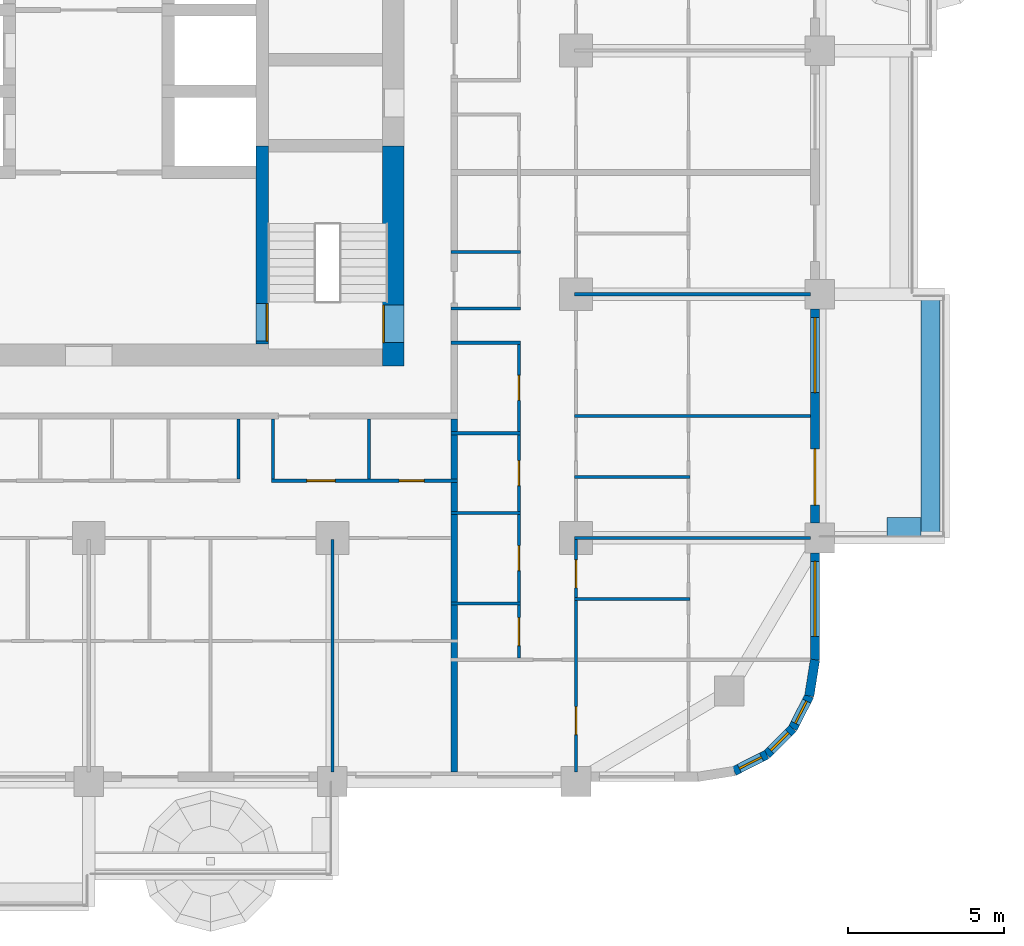
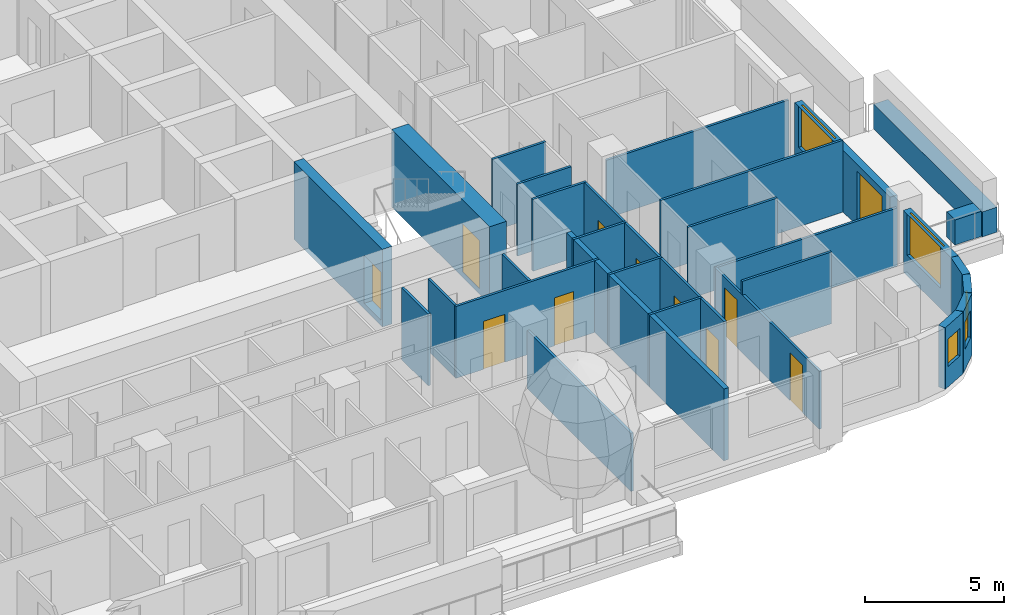
# One storey, part 7 of 18: 29 walls, 11 doors, 5 windows, 16 openings.
"""IFC4 building model written with IfcOpenShell, lengths in metres."""

from ifc_helpers import new_model, si_unit, direction, frame, frame_2d, origin, place, context, subcontext, project, spatial, rectangle, extrude, material, layer, layer_set, type_object, element, fill, save


model = new_model("IFC4")

# Units and contexts
model_context = context("Model", 3, precision=1e-05, world=origin(), true_north=direction((0.0, 1.0)))
body_context = subcontext(model_context, "Body", "Model", "MODEL_VIEW")
ifc_project = project(units=[si_unit("LENGTHUNIT", "METRE"), si_unit("AREAUNIT", "SQUARE_METRE"), si_unit("VOLUMEUNIT", "CUBIC_METRE"), si_unit("PLANEANGLEUNIT", "RADIAN"), si_unit("MASSUNIT", "GRAM", prefix="KILO")], contexts=[model_context])

# Site, building, storey
site_placement = place(None, origin())
site = spatial("IfcSite", under=ifc_project, at=site_placement, CompositionType="ELEMENT")
building_placement = place(site_placement, origin())
building = spatial("IfcBuilding", under=site, at=building_placement, Name="Ludao Terraces", CompositionType="ELEMENT")
storey_placement = place(building_placement, frame((0.0, 0.0, 58.0)))
storey = spatial("IfcBuildingStorey", under=building, at=storey_placement, Name="L15", CompositionType="ELEMENT", Elevation=58.0)

# Wall, opening, door
ifc_material_1 = material(Name="Concrete C70", Category="concrete")
ifc_layer_1 = layer(ifc_material_1, 0.699951171875)
ifc_layer_set_1 = layer_set([ifc_layer_1], Name="Core wall 700 C70")
wall_type_1 = type_object("IfcWallType", Name="Core wall 700 C70", PredefinedType="SOLIDWALL", material=ifc_layer_set_1)
wall_1_placement = place(storey_placement, frame((94.75, 54.89990234375, -0.25), z_axis=(0.0, 0.0, 1.0), x_axis=(0.0, 1.0, 0.0)))
wall_1 = element("IfcWall", 1, at=wall_1_placement, inside=storey, type_object=wall_type_1, Name="Core wall L15 outer-E-S3", PredefinedType="SOLIDWALL", context=body_context, shape_type="SweptSolid", body=[
    extrude(rectangle(XDim=7.050048828125, YDim=0.699951171875, at=frame_2d((3.52490234375, 0.0))), origin(), (0.0, 0.0, 1.0), 3.39990234375),
])
opening_1_placement = place(wall_1_placement, frame((0.75, 0.0, 0.25)))
opening_1 = element("IfcOpeningElement", 2, at=opening_1_placement, cuts=wall_1, Name="Opening R04-059", PredefinedType="OPENING", context=body_context, shape_type="SweptSolid", body=[
    extrude(rectangle(XDim=1.199951171875, YDim=2.10009765625, at=frame_2d((0.60009765625, 1.050048828125))), frame((0.0, 0.35986328125, 0.0), z_axis=(0.0, -1.0, 0.0), x_axis=(1.0, 0.0, 0.0)), (0.0, 0.0, 1.0), 0.719970703125),
])
ifc_material_2 = material(Name="Steel Q235", Category="steel")
door_type_1 = type_object("IfcDoorType", Name="INT Stair door 1200", OperationType="DOUBLE_DOOR_SINGLE_SWING", PredefinedType="DOOR", material=ifc_material_2)
door_1_placement = place(opening_1_placement, origin())
door_1 = element("IfcDoor", 3, at=door_1_placement, inside=storey, type_object=door_type_1, Name="DOOR 059", OperationType="DOUBLE_DOOR_SINGLE_SWING", OverallHeight=2.10009765625, OverallWidth=1.199951171875, PredefinedType="DOOR", context=body_context, shape_type="SweptSolid", body=[
    extrude(rectangle(XDim=1.199951171875, YDim=2.10009765625, at=frame_2d((0.60009765625, 1.050048828125))), frame((0.0, 0.3349609375, 0.0), z_axis=(0.0, -1.0, 0.0), x_axis=(1.0, 0.0, 0.0)), (0.0, 0.0, 1.0), 0.050048828125),
])
fill(opening_1, door_1)

# Walls
ifc_material_3 = material(Name="Concrete C40", Category="concrete")
ifc_layer_2 = layer(ifc_material_3, 0.60009765625)
ifc_layer_set_2 = layer_set([ifc_layer_2], Name="ENV Planter trough 600")
wall_type_2 = type_object("IfcWallType", Name="ENV Planter trough 600", PredefinedType="USERDEFINED", material=ifc_layer_set_2)
wall_2_placement = place(storey_placement, frame((111.949951171875, 49.39990234375, 0.0), z_axis=(0.0, 0.0, 1.0), x_axis=(0.0, 1.0, 0.0)))
element("IfcWall", 4, at=wall_2_placement, inside=storey, type_object=wall_type_2, Name="PL-L15-E1", ObjectType="PLANTER", PredefinedType="USERDEFINED", context=body_context, shape_type="SweptSolid", body=[
    extrude(rectangle(XDim=7.800048828125, YDim=0.60009765625, at=frame_2d((3.89990234375, 0.0))), origin(), (0.0, 0.0, 1.0), 1.10009765625),
])
wall_3_placement = place(storey_placement, frame((111.64990234375, 49.75, 0.0), z_axis=(0.0, 0.0, 1.0), x_axis=(-1.0, 0.0, 0.0)))
element("IfcWall", 5, at=wall_3_placement, inside=storey, type_object=wall_type_2, Name="PL-L15-E1-SA", ObjectType="PLANTER", PredefinedType="USERDEFINED", context=body_context, shape_type="SweptSolid", body=[
    extrude(rectangle(XDim=1.099853515625, YDim=0.60009765625, at=frame_2d((0.5498046875, 0.0))), origin(), (0.0, 0.0, 1.0), 1.10009765625),
])

# Wall, opening, window
ifc_material_4 = material(Name="Granite cladding", Category="masonry")
ifc_layer_3 = layer(ifc_material_4, 0.0400390625, Category="stone")
ifc_material_5 = material(Name="Mineral wool")
ifc_layer_4 = layer(ifc_material_5, 0.06005859375)
ifc_layer_5 = layer(ifc_material_3, 0.199951171875, Category="concrete")
ifc_layer_set_3 = layer_set([ifc_layer_3, ifc_layer_4, ifc_layer_5], Name="ENV Stone-clad wall 300")
wall_type_3 = type_object("IfcWallType", Name="ENV Stone-clad wall 300", PredefinedType="SOLIDWALL", material=ifc_layer_set_3)
wall_4_placement = place(storey_placement, frame((108.25, 45.5, 0.0), z_axis=(0.0, 0.0, 1.0), x_axis=(0.0, 1.0, 0.0)))
wall_4 = element("IfcWall", 6, at=wall_4_placement, inside=storey, type_object=wall_type_3, Name="EW-L15-E1", PredefinedType="SOLIDWALL", context=body_context, shape_type="SweptSolid", body=[
    extrude(rectangle(XDim=3.425048828125, YDim=0.300048828125, at=frame_2d((1.71240234375, 0.0))), origin(), (0.0, 0.0, 1.0), 2.699951171875),
])
opening_2_placement = place(wall_4_placement, frame((0.75, 0.0, 0.89990234375)))
opening_2 = element("IfcOpeningElement", 7, at=opening_2_placement, cuts=wall_4, Name="Opening W1", PredefinedType="OPENING", context=body_context, shape_type="SweptSolid", body=[
    extrude(rectangle(XDim=2.39990234375, YDim=1.800048828125, at=frame_2d((1.199951171875, 0.89990234375))), frame((0.0, 0.16015625, 0.0), z_axis=(0.0, -1.0, 0.0), x_axis=(1.0, 0.0, 0.0)), (0.0, 0.0, 1.0), 0.320068359375),
])
ifc_material_6 = material(Name="Clear glass in aluminium frame", Category="aluminium")
ifc_layer_6 = layer(ifc_material_6, 0.06005859375)
ifc_layer_set_4 = layer_set([ifc_layer_6], Name="ENV Window W1 2400x1800")
window_type_1 = type_object("IfcWindowType", Name="ENV Window W1 2400x1800", PartitioningType="DOUBLE_PANEL_VERTICAL", PredefinedType="WINDOW", material=ifc_layer_set_4)
window_1_placement = place(opening_2_placement, origin())
window_1 = element("IfcWindow", 8, at=window_1_placement, inside=storey, type_object=window_type_1, Name="W-L15-E1-1", OverallHeight=1.800048828125, OverallWidth=2.39990234375, PartitioningType="DOUBLE_PANEL_VERTICAL", PredefinedType="WINDOW", context=body_context, shape_type="SweptSolid", body=[
    extrude(rectangle(XDim=2.39990234375, YDim=1.800048828125, at=frame_2d((1.199951171875, 0.89990234375))), frame((0.0, 0.030029296875, 0.0), z_axis=(0.0, -1.0, 0.0), x_axis=(1.0, 0.0, 0.0)), (0.0, 0.0, 1.0), 0.06005859375),
])
fill(opening_2, window_1)

# Wall, openings, door, window
wall_5_placement = place(storey_placement, frame((108.25, 49.875, 0.0), z_axis=(0.0, 0.0, 1.0), x_axis=(0.0, 1.0, 0.0)))
wall_5 = element("IfcWall", 9, at=wall_5_placement, inside=storey, type_object=wall_type_3, Name="EW-L15-E2", PredefinedType="SOLIDWALL", context=body_context, shape_type="SweptSolid", body=[
    extrude(rectangle(XDim=6.85009765625, YDim=0.300048828125, at=frame_2d((3.425048828125, 0.0))), origin(), (0.0, 0.0, 1.0), 2.699951171875),
])
opening_3_placement = place(wall_5_placement, frame((0.574951171875, 0.0, 0.0)))
opening_3 = element("IfcOpeningElement", 10, at=opening_3_placement, cuts=wall_5, Name="Opening BD", PredefinedType="OPENING", context=body_context, shape_type="SweptSolid", body=[
    extrude(rectangle(XDim=1.800048828125, YDim=2.39990234375, at=frame_2d((0.89990234375, 1.199951171875))), frame((0.0, 0.16015625, 0.0), z_axis=(0.0, -1.0, 0.0), x_axis=(1.0, 0.0, 0.0)), (0.0, 0.0, 1.0), 0.320068359375),
])
opening_4_placement = place(wall_5_placement, frame((4.175048828125, 0.0, 0.89990234375)))
opening_4 = element("IfcOpeningElement", 11, at=opening_4_placement, cuts=wall_5, Name="Opening W1", PredefinedType="OPENING", context=body_context, shape_type="SweptSolid", body=[
    extrude(rectangle(XDim=2.39990234375, YDim=1.800048828125, at=frame_2d((1.199951171875, 0.89990234375))), frame((0.0, 0.16015625, 0.0), z_axis=(0.0, -1.0, 0.0), x_axis=(1.0, 0.0, 0.0)), (0.0, 0.0, 1.0), 0.320068359375),
])
ifc_material_7 = material(Name="Aluminium glazed door", Category="aluminium")
ifc_layer_7 = layer(ifc_material_7, 0.06005859375)
ifc_layer_set_5 = layer_set([ifc_layer_7], Name="ENV Balcony door BD 1800x2400")
door_type_2 = type_object("IfcDoorType", Name="ENV Balcony door BD 1800x2400", OperationType="DOUBLE_DOOR_SINGLE_SWING", PredefinedType="DOOR", material=ifc_layer_set_5)
door_2_placement = place(opening_3_placement, origin())
door_2 = element("IfcDoor", 12, at=door_2_placement, inside=storey, type_object=door_type_2, Name="BD-L15-E2-1", OperationType="DOUBLE_DOOR_SINGLE_SWING", OverallHeight=2.39990234375, OverallWidth=1.800048828125, PredefinedType="DOOR", context=body_context, shape_type="SweptSolid", body=[
    extrude(rectangle(XDim=1.800048828125, YDim=2.39990234375, at=frame_2d((0.89990234375, 1.199951171875))), frame((0.0, 0.02490234375, 0.0), z_axis=(0.0, -1.0, 0.0), x_axis=(1.0, 0.0, 0.0)), (0.0, 0.0, 1.0), 0.050048828125),
])
fill(opening_3, door_2)
window_2_placement = place(opening_4_placement, origin())
window_2 = element("IfcWindow", 13, at=window_2_placement, inside=storey, type_object=window_type_1, Name="W-L15-E2-2", OverallHeight=1.800048828125, OverallWidth=2.39990234375, PartitioningType="DOUBLE_PANEL_VERTICAL", PredefinedType="WINDOW", context=body_context, shape_type="SweptSolid", body=[
    extrude(rectangle(XDim=2.39990234375, YDim=1.800048828125, at=frame_2d((1.199951171875, 0.89990234375))), frame((0.0, 0.030029296875, 0.0), z_axis=(0.0, -1.0, 0.0), x_axis=(1.0, 0.0, 0.0)), (0.0, 0.0, 1.0), 0.06005859375),
])
fill(opening_4, window_2)

# Wall, opening, window
wall_6_placement = place(storey_placement, frame((105.65869140625, 41.93359375, 0.0), z_axis=(0.0, 0.0, 1.0), x_axis=(0.890988677504, 0.454025524128, 0.0)))
wall_6 = element("IfcWall", 14, at=wall_6_placement, inside=storey, type_object=wall_type_3, Name="EW-L15-SE2", PredefinedType="SOLIDWALL", context=body_context, shape_type="SweptSolid", body=[
    extrude(rectangle(XDim=1.17333984375, YDim=0.300048828125, at=frame_2d((0.586669921875, 0.0))), origin(), (0.0, 0.0, 1.0), 2.699951171875),
])
opening_5_placement = place(wall_6_placement, frame((0.1865234375, 0.0, 0.89990234375)))
opening_5 = element("IfcOpeningElement", 15, at=opening_5_placement, cuts=wall_6, Name="Opening W3", PredefinedType="OPENING", context=body_context, shape_type="SweptSolid", body=[
    extrude(rectangle(XDim=0.800048828125, YDim=1.199951171875, at=frame_2d((0.39990234375, 0.60009765625))), frame((0.0, 0.16015625, 0.0), z_axis=(0.0, -1.0, 0.0), x_axis=(1.0, 0.0, 0.0)), (0.0, 0.0, 1.0), 0.320068359375),
])
ifc_layer_8 = layer(ifc_material_6, 0.06005859375)
ifc_layer_set_6 = layer_set([ifc_layer_8], Name="ENV Window W3 800x1200")
window_type_2 = type_object("IfcWindowType", Name="ENV Window W3 800x1200", PartitioningType="SINGLE_PANEL", PredefinedType="WINDOW", material=ifc_layer_set_6)
window_3_placement = place(opening_5_placement, origin())
window_3 = element("IfcWindow", 16, at=window_3_placement, inside=storey, type_object=window_type_2, Name="W-L15-SE2", OverallHeight=1.199951171875, OverallWidth=0.800048828125, PartitioningType="SINGLE_PANEL", PredefinedType="WINDOW", context=body_context, shape_type="SweptSolid", body=[
    extrude(rectangle(XDim=0.800048828125, YDim=1.199951171875, at=frame_2d((0.39990234375, 0.60009765625))), frame((0.0, 0.030029296875, 0.0), z_axis=(0.0, -1.0, 0.0), x_axis=(1.0, 0.0, 0.0)), (0.0, 0.0, 1.0), 0.06005859375),
])
fill(opening_5, window_3)

wall_7_placement = place(storey_placement, frame((106.7041015625, 42.46630859375, 0.0), z_axis=(0.0, 0.0, 1.0), x_axis=(0.707106781187, 0.707106781187, 0.0)))
wall_7 = element("IfcWall", 17, at=wall_7_placement, inside=storey, type_object=wall_type_3, Name="EW-L15-SE3", PredefinedType="SOLIDWALL", context=body_context, shape_type="SweptSolid", body=[
    extrude(rectangle(XDim=1.173095703125, YDim=0.300048828125, at=frame_2d((0.58642578125, 0.0))), origin(), (0.0, 0.0, 1.0), 2.699951171875),
])
opening_6_placement = place(wall_7_placement, frame((0.1865234375, 0.0, 0.89990234375)))
opening_6 = element("IfcOpeningElement", 18, at=opening_6_placement, cuts=wall_7, Name="Opening W3", PredefinedType="OPENING", context=body_context, shape_type="SweptSolid", body=[
    extrude(rectangle(XDim=0.800048828125, YDim=1.199951171875, at=frame_2d((0.39990234375, 0.60009765625))), frame((0.0, 0.16015625, 0.0), z_axis=(0.0, -1.0, 0.0), x_axis=(1.0, 0.0, 0.0)), (0.0, 0.0, 1.0), 0.320068359375),
])
window_4_placement = place(opening_6_placement, origin())
window_4 = element("IfcWindow", 19, at=window_4_placement, inside=storey, type_object=window_type_2, Name="W-L15-SE3", OverallHeight=1.199951171875, OverallWidth=0.800048828125, PartitioningType="SINGLE_PANEL", PredefinedType="WINDOW", context=body_context, shape_type="SweptSolid", body=[
    extrude(rectangle(XDim=0.800048828125, YDim=1.199951171875, at=frame_2d((0.39990234375, 0.60009765625))), frame((0.0, 0.030029296875, 0.0), z_axis=(0.0, -1.0, 0.0), x_axis=(1.0, 0.0, 0.0)), (0.0, 0.0, 1.0), 0.06005859375),
])
fill(opening_6, window_4)

wall_8_placement = place(storey_placement, frame((107.53369140625, 43.2958984375, 0.0), z_axis=(0.0, 0.0, 1.0), x_axis=(0.454025524128, 0.890988677504, 0.0)))
wall_8 = element("IfcWall", 20, at=wall_8_placement, inside=storey, type_object=wall_type_3, Name="EW-L15-SE4", PredefinedType="SOLIDWALL", context=body_context, shape_type="SweptSolid", body=[
    extrude(rectangle(XDim=1.17333984375, YDim=0.300048828125, at=frame_2d((0.586669921875, 0.0))), origin(), (0.0, 0.0, 1.0), 2.699951171875),
])
opening_7_placement = place(wall_8_placement, frame((0.1865234375, 0.0, 0.89990234375)))
opening_7 = element("IfcOpeningElement", 21, at=opening_7_placement, cuts=wall_8, Name="Opening W3", PredefinedType="OPENING", context=body_context, shape_type="SweptSolid", body=[
    extrude(rectangle(XDim=0.800048828125, YDim=1.199951171875, at=frame_2d((0.39990234375, 0.60009765625))), frame((0.0, 0.16015625, 0.0), z_axis=(0.0, -1.0, 0.0), x_axis=(1.0, 0.0, 0.0)), (0.0, 0.0, 1.0), 0.320068359375),
])
window_5_placement = place(opening_7_placement, origin())
window_5 = element("IfcWindow", 22, at=window_5_placement, inside=storey, type_object=window_type_2, Name="W-L15-SE4", OverallHeight=1.199951171875, OverallWidth=0.800048828125, PartitioningType="SINGLE_PANEL", PredefinedType="WINDOW", context=body_context, shape_type="SweptSolid", body=[
    extrude(rectangle(XDim=0.800048828125, YDim=1.199951171875, at=frame_2d((0.39990234375, 0.60009765625))), frame((0.0, 0.030029296875, 0.0), z_axis=(0.0, -1.0, 0.0), x_axis=(1.0, 0.0, 0.0)), (0.0, 0.0, 1.0), 0.06005859375),
])
fill(opening_7, window_5)

# Walls
wall_9_placement = place(storey_placement, frame((108.06640625, 44.34130859375, 0.0), z_axis=(0.0, 0.0, 1.0), x_axis=(0.156496880861, 0.987678452879, 0.0)))
element("IfcWall", 23, at=wall_9_placement, inside=storey, type_object=wall_type_3, Name="EW-L15-SE5", PredefinedType="SOLIDWALL", context=body_context, shape_type="SweptSolid", body=[
    extrude(rectangle(XDim=1.173095703125, YDim=0.300048828125, at=frame_2d((0.58642578125, 0.0))), origin(), (0.0, 0.0, 1.0), 2.699951171875),
])
ifc_material_8 = material(Name="Gypsum plasterboard", Category="gypsum")
ifc_layer_9 = layer(ifc_material_8, 0.012451171875, Category="gypsum")
ifc_layer_10 = layer(ifc_material_5, 0.06005859375, Name="insulation")
ifc_layer_11 = layer(ifc_material_2, 0.014892578125, Name="stud")
ifc_layer_12 = layer(ifc_material_8, 0.012451171875, Category="gypsum")
ifc_layer_set_7 = layer_set([ifc_layer_9, ifc_layer_10, ifc_layer_11, ifc_layer_12], Name="INT Partition 100")
wall_type_4 = type_object("IfcWallType", Name="INT Partition 100", PredefinedType="PARTITIONING", material=ifc_layer_set_7)
wall_10_placement = place(storey_placement, frame((96.60009765625, 47.300048828125, 0.0), z_axis=(0.0, 0.0, 1.0), x_axis=(1.0, 0.0, 0.0)))
element("IfcWall", 24, at=wall_10_placement, inside=storey, type_object=wall_type_4, Name="PW-L15-PW005", PredefinedType="PARTITIONING", context=body_context, shape_type="SweptSolid", body=[
    extrude(rectangle(XDim=2.219970703125, YDim=0.10009765625, at=frame_2d((1.10986328125, 0.0))), origin(), (0.0, 0.0, 1.0), 3.14990234375),
])
wall_11_placement = place(storey_placement, frame((100.550048828125, 47.449951171875, 0.0), z_axis=(0.0, 0.0, 1.0), x_axis=(1.0, 0.0, 0.0)))
element("IfcWall", 25, at=wall_11_placement, inside=storey, type_object=wall_type_4, Name="PW-L15-PW007", PredefinedType="PARTITIONING", context=body_context, shape_type="SweptSolid", body=[
    extrude(rectangle(XDim=3.699951171875, YDim=0.10009765625, at=frame_2d((1.85009765625, 0.0))), origin(), (0.0, 0.0, 1.0), 3.14990234375),
])
wall_12_placement = place(storey_placement, frame((100.550048828125, 49.39990234375, 0.0), z_axis=(0.0, 0.0, 1.0), x_axis=(1.0, 0.0, 0.0)))
element("IfcWall", 26, at=wall_12_placement, inside=storey, type_object=wall_type_4, Name="PW-L15-PW010", PredefinedType="PARTITIONING", context=body_context, shape_type="SweptSolid", body=[
    extrude(rectangle(XDim=7.550048828125, YDim=0.10009765625, at=frame_2d((3.77490234375, 0.0))), origin(), (0.0, 0.0, 1.0), 2.550048828125),
])
wall_13_placement = place(storey_placement, frame((96.60009765625, 50.199951171875, 0.0), z_axis=(0.0, 0.0, 1.0), x_axis=(1.0, 0.0, 0.0)))
element("IfcWall", 27, at=wall_13_placement, inside=storey, type_object=wall_type_4, Name="PW-L15-PW012", PredefinedType="PARTITIONING", context=body_context, shape_type="SweptSolid", body=[
    extrude(rectangle(XDim=2.219970703125, YDim=0.10009765625, at=frame_2d((1.10986328125, 0.0))), origin(), (0.0, 0.0, 1.0), 3.14990234375),
])

# Wall, openings, doors
wall_14_placement = place(storey_placement, frame((90.85009765625, 51.22998046875, 0.0), z_axis=(0.0, 0.0, 1.0), x_axis=(1.0, 0.0, 0.0)))
wall_14 = element("IfcWall", 28, at=wall_14_placement, inside=storey, type_object=wall_type_4, Name="PW-L15-PW015", PredefinedType="PARTITIONING", context=body_context, shape_type="SweptSolid", body=[
    extrude(rectangle(XDim=5.949951171875, YDim=0.10009765625, at=frame_2d((2.97509765625, 0.0))), origin(), (0.0, 0.0, 1.0), 3.14990234375),
])
opening_8_placement = place(wall_14_placement, frame((1.135009765625, 0.0, 0.0)))
opening_8 = element("IfcOpeningElement", 29, at=opening_8_placement, cuts=wall_14, Name="Opening R04-041", PredefinedType="OPENING", context=body_context, shape_type="SweptSolid", body=[
    extrude(rectangle(XDim=0.89990234375, YDim=2.10009765625, at=frame_2d((0.449951171875, 1.050048828125))), frame((0.0, 0.06005859375, 0.0), z_axis=(0.0, -1.0, 0.0), x_axis=(1.0, 0.0, 0.0)), (0.0, 0.0, 1.0), 0.1201171875),
])
opening_9_placement = place(wall_14_placement, frame((4.0849609375, 0.0, 0.0)))
opening_9 = element("IfcOpeningElement", 30, at=opening_9_placement, cuts=wall_14, Name="Opening R04-042", PredefinedType="OPENING", context=body_context, shape_type="SweptSolid", body=[
    extrude(rectangle(XDim=0.800048828125, YDim=2.10009765625, at=frame_2d((0.39990234375, 1.050048828125))), frame((0.0, 0.06005859375, 0.0), z_axis=(0.0, -1.0, 0.0), x_axis=(1.0, 0.0, 0.0)), (0.0, 0.0, 1.0), 0.1201171875),
])
ifc_material_9 = material(Name="Timber door leaf", Category="wood")
door_type_3 = type_object("IfcDoorType", Name="INT Room door 900", OperationType="SINGLE_SWING_LEFT", PredefinedType="DOOR", material=ifc_material_9)
door_3_placement = place(opening_8_placement, origin())
door_3 = element("IfcDoor", 31, at=door_3_placement, inside=storey, type_object=door_type_3, Name="DOOR 041", OperationType="SINGLE_SWING_LEFT", OverallHeight=2.10009765625, OverallWidth=0.89990234375, PredefinedType="DOOR", context=body_context, shape_type="SweptSolid", body=[
    extrude(rectangle(XDim=0.89990234375, YDim=2.10009765625, at=frame_2d((0.449951171875, 1.050048828125))), frame((0.0, 0.02490234375, 0.0), z_axis=(0.0, -1.0, 0.0), x_axis=(1.0, 0.0, 0.0)), (0.0, 0.0, 1.0), 0.050048828125),
])
fill(opening_8, door_3)
door_type_4 = type_object("IfcDoorType", Name="INT Store door 800", OperationType="SINGLE_SWING_LEFT", PredefinedType="DOOR", material=ifc_material_9)
door_4_placement = place(opening_9_placement, origin())
door_4 = element("IfcDoor", 32, at=door_4_placement, inside=storey, type_object=door_type_4, Name="DOOR 042", OperationType="SINGLE_SWING_RIGHT", OverallHeight=2.10009765625, OverallWidth=0.800048828125, PredefinedType="DOOR", context=body_context, shape_type="SweptSolid", body=[
    extrude(rectangle(XDim=0.800048828125, YDim=2.10009765625, at=frame_2d((0.39990234375, 1.050048828125))), frame((0.0, 0.02490234375, 0.0), z_axis=(0.0, -1.0, 0.0), x_axis=(1.0, 0.0, 0.0)), (0.0, 0.0, 1.0), 0.050048828125),
])
fill(opening_9, door_4)

# Walls
wall_15_placement = place(storey_placement, frame((100.550048828125, 51.35009765625, 0.0), z_axis=(0.0, 0.0, 1.0), x_axis=(1.0, 0.0, 0.0)))
element("IfcWall", 33, at=wall_15_placement, inside=storey, type_object=wall_type_4, Name="PW-L15-PW017", PredefinedType="PARTITIONING", context=body_context, shape_type="SweptSolid", body=[
    extrude(rectangle(XDim=3.699951171875, YDim=0.10009765625, at=frame_2d((1.85009765625, 0.0))), origin(), (0.0, 0.0, 1.0), 3.14990234375),
])
wall_16_placement = place(storey_placement, frame((96.60009765625, 52.75, 0.0), z_axis=(0.0, 0.0, 1.0), x_axis=(1.0, 0.0, 0.0)))
element("IfcWall", 34, at=wall_16_placement, inside=storey, type_object=wall_type_4, Name="PW-L15-PW018", PredefinedType="PARTITIONING", context=body_context, shape_type="SweptSolid", body=[
    extrude(rectangle(XDim=2.219970703125, YDim=0.10009765625, at=frame_2d((1.10986328125, 0.0))), origin(), (0.0, 0.0, 1.0), 3.14990234375),
])
wall_17_placement = place(storey_placement, frame((100.550048828125, 53.300048828125, 0.0), z_axis=(0.0, 0.0, 1.0), x_axis=(1.0, 0.0, 0.0)))
element("IfcWall", 35, at=wall_17_placement, inside=storey, type_object=wall_type_4, Name="PW-L15-PW022", PredefinedType="PARTITIONING", context=body_context, shape_type="SweptSolid", body=[
    extrude(rectangle(XDim=7.550048828125, YDim=0.10009765625, at=frame_2d((3.77490234375, 0.0))), origin(), (0.0, 0.0, 1.0), 3.14990234375),
])
for number, where, z_axis, x_axis, name in (
    (36, (96.60009765625, 55.64990234375, 0.0), (0.0, 0.0, 1.0), (1.0, 0.0, 0.0), "PW-L15-PW024"),
    (37, (96.60009765625, 56.75, 0.0), (0.0, 0.0, 1.0), (1.0, 0.0, 0.0), "PW-L15-PW026"),
):
    element("IfcWall", number, at=place(storey_placement, frame(where, z_axis=z_axis, x_axis=x_axis)), inside=storey, type_object=wall_type_4, Name=name, PredefinedType="PARTITIONING", context=body_context, shape_type="SweptSolid", body=[
        extrude(rectangle(XDim=2.219970703125, YDim=0.10009765625, at=frame_2d((1.10986328125, 0.0))), origin(), (0.0, 0.0, 1.0), 3.14990234375),
    ])
wall_18_placement = place(storey_placement, frame((100.550048828125, 57.199951171875, 0.0), z_axis=(0.0, 0.0, 1.0), x_axis=(1.0, 0.0, 0.0)))
element("IfcWall", 38, at=wall_18_placement, inside=storey, type_object=wall_type_4, Name="PW-L15-PW028", PredefinedType="PARTITIONING", context=body_context, shape_type="SweptSolid", body=[
    extrude(rectangle(XDim=7.550048828125, YDim=0.10009765625, at=frame_2d((3.77490234375, 0.0))), origin(), (0.0, 0.0, 1.0), 2.550048828125),
])
wall_19_placement = place(storey_placement, frame((96.60009765625, 58.550048828125, 0.0), z_axis=(0.0, 0.0, 1.0), x_axis=(1.0, 0.0, 0.0)))
element("IfcWall", 39, at=wall_19_placement, inside=storey, type_object=wall_type_4, Name="PW-L15-PW029", PredefinedType="PARTITIONING", context=body_context, shape_type="SweptSolid", body=[
    extrude(rectangle(XDim=2.219970703125, YDim=0.10009765625, at=frame_2d((1.10986328125, 0.0))), origin(), (0.0, 0.0, 1.0), 3.14990234375),
])
for number, where, z_axis, x_axis, name in (
    (40, (89.800048828125, 51.280029296875, 0.0), (0.0, 0.0, 1.0), (0.0, 1.0, 0.0), "PW-L15-PW108"),
    (41, (90.89990234375, 51.280029296875, 0.0), (0.0, 0.0, 1.0), (0.0, 1.0, 0.0), "PW-L15-PW109"),
):
    element("IfcWall", number, at=place(storey_placement, frame(where, z_axis=z_axis, x_axis=x_axis)), inside=storey, type_object=wall_type_4, Name=name, PredefinedType="PARTITIONING", context=body_context, shape_type="SweptSolid", body=[
        extrude(rectangle(XDim=1.920166015625, YDim=0.10009765625, at=frame_2d((0.9599609375, 0.0))), origin(), (0.0, 0.0, 1.0), 3.14990234375),
    ])
wall_20_placement = place(storey_placement, frame((92.800048828125, 41.900146484375, 0.0), z_axis=(0.0, 0.0, 1.0), x_axis=(0.0, 1.0, 0.0)))
element("IfcWall", 42, at=wall_20_placement, inside=storey, type_object=wall_type_4, Name="PW-L15-PW110", PredefinedType="PARTITIONING", context=body_context, shape_type="SweptSolid", body=[
    extrude(rectangle(XDim=7.449951171875, YDim=0.10009765625, at=frame_2d((3.72509765625, 0.0))), origin(), (0.0, 0.0, 1.0), 2.550048828125),
])
wall_21_placement = place(storey_placement, frame((93.969970703125, 51.280029296875, 0.0), z_axis=(0.0, 0.0, 1.0), x_axis=(0.0, 1.0, 0.0)))
element("IfcWall", 43, at=wall_21_placement, inside=storey, type_object=wall_type_4, Name="PW-L15-PW112", PredefinedType="PARTITIONING", context=body_context, shape_type="SweptSolid", body=[
    extrude(rectangle(XDim=1.920166015625, YDim=0.10009765625, at=frame_2d((0.9599609375, 0.0))), origin(), (0.0, 0.0, 1.0), 3.14990234375),
])

# Wall, openings, doors
wall_22_placement = place(storey_placement, frame((98.77001953125, 45.550048828125, 0.0), z_axis=(0.0, 0.0, 1.0), x_axis=(0.0, 1.0, 0.0)))
wall_22 = element("IfcWall", 44, at=wall_22_placement, inside=storey, type_object=wall_type_4, Name="PW-L15-PW116", PredefinedType="PARTITIONING", context=body_context, shape_type="SweptSolid", body=[
    extrude(rectangle(XDim=10.050048828125, YDim=0.10009765625, at=frame_2d((5.02490234375, 0.0))), origin(), (0.0, 0.0, 1.0), 3.14990234375),
])
opening_10_placement = place(wall_22_placement, frame((0.39990234375, 0.0, 0.0)))
opening_10 = element("IfcOpeningElement", 45, at=opening_10_placement, cuts=wall_22, Name="Opening R04-017", PredefinedType="OPENING", context=body_context, shape_type="SweptSolid", body=[
    extrude(rectangle(XDim=0.89990234375, YDim=2.10009765625, at=frame_2d((0.449951171875, 1.050048828125))), frame((0.0, 0.06005859375, 0.0), z_axis=(0.0, -1.0, 0.0), x_axis=(1.0, 0.0, 0.0)), (0.0, 0.0, 1.0), 0.1201171875),
])
opening_11_placement = place(wall_22_placement, frame((2.800048828125, 0.0, 0.0)))
opening_11 = element("IfcOpeningElement", 46, at=opening_11_placement, cuts=wall_22, Name="Opening R04-025", PredefinedType="OPENING", context=body_context, shape_type="SweptSolid", body=[
    extrude(rectangle(XDim=0.800048828125, YDim=2.10009765625, at=frame_2d((0.39990234375, 1.050048828125))), frame((0.0, 0.06005859375, 0.0), z_axis=(0.0, -1.0, 0.0), x_axis=(1.0, 0.0, 0.0)), (0.0, 0.0, 1.0), 0.1201171875),
])
opening_12_placement = place(wall_22_placement, frame((5.52490234375, 0.0, 0.0)))
opening_12 = element("IfcOpeningElement", 47, at=opening_12_placement, cuts=wall_22, Name="Opening R04-043", PredefinedType="OPENING", context=body_context, shape_type="SweptSolid", body=[
    extrude(rectangle(XDim=0.800048828125, YDim=2.10009765625, at=frame_2d((0.39990234375, 1.050048828125))), frame((0.0, 0.06005859375, 0.0), z_axis=(0.0, -1.0, 0.0), x_axis=(1.0, 0.0, 0.0)), (0.0, 0.0, 1.0), 0.1201171875),
])
opening_13_placement = place(wall_22_placement, frame((8.25, 0.0, 0.0)))
opening_13 = element("IfcOpeningElement", 48, at=opening_13_placement, cuts=wall_22, Name="Opening R04-051", PredefinedType="OPENING", context=body_context, shape_type="SweptSolid", body=[
    extrude(rectangle(XDim=0.800048828125, YDim=2.10009765625, at=frame_2d((0.39990234375, 1.050048828125))), frame((0.0, 0.06005859375, 0.0), z_axis=(0.0, -1.0, 0.0), x_axis=(1.0, 0.0, 0.0)), (0.0, 0.0, 1.0), 0.1201171875),
])
door_type_5 = type_object("IfcDoorType", Name="INT Bathroom door 900", OperationType="SINGLE_SWING_LEFT", PredefinedType="DOOR", material=ifc_material_9)
door_5_placement = place(opening_10_placement, origin())
door_5 = element("IfcDoor", 49, at=door_5_placement, inside=storey, type_object=door_type_5, Name="DOOR 017", OperationType="SINGLE_SWING_RIGHT", OverallHeight=2.10009765625, OverallWidth=0.89990234375, PredefinedType="DOOR", context=body_context, shape_type="SweptSolid", body=[
    extrude(rectangle(XDim=0.89990234375, YDim=2.10009765625, at=frame_2d((0.449951171875, 1.050048828125))), frame((0.0, 0.02490234375, 0.0), z_axis=(0.0, -1.0, 0.0), x_axis=(1.0, 0.0, 0.0)), (0.0, 0.0, 1.0), 0.050048828125),
])
fill(opening_10, door_5)
door_6_placement = place(opening_11_placement, origin())
door_6 = element("IfcDoor", 50, at=door_6_placement, inside=storey, type_object=door_type_4, Name="DOOR 025", OperationType="SINGLE_SWING_LEFT", OverallHeight=2.10009765625, OverallWidth=0.800048828125, PredefinedType="DOOR", context=body_context, shape_type="SweptSolid", body=[
    extrude(rectangle(XDim=0.800048828125, YDim=2.10009765625, at=frame_2d((0.39990234375, 1.050048828125))), frame((0.0, 0.02490234375, 0.0), z_axis=(0.0, -1.0, 0.0), x_axis=(1.0, 0.0, 0.0)), (0.0, 0.0, 1.0), 0.050048828125),
])
fill(opening_11, door_6)
door_7_placement = place(opening_12_placement, origin())
door_7 = element("IfcDoor", 51, at=door_7_placement, inside=storey, type_object=door_type_4, Name="DOOR 043", OperationType="SINGLE_SWING_RIGHT", OverallHeight=2.10009765625, OverallWidth=0.800048828125, PredefinedType="DOOR", context=body_context, shape_type="SweptSolid", body=[
    extrude(rectangle(XDim=0.800048828125, YDim=2.10009765625, at=frame_2d((0.39990234375, 1.050048828125))), frame((0.0, 0.02490234375, 0.0), z_axis=(0.0, -1.0, 0.0), x_axis=(1.0, 0.0, 0.0)), (0.0, 0.0, 1.0), 0.050048828125),
])
fill(opening_12, door_7)
door_8_placement = place(opening_13_placement, origin())
door_8 = element("IfcDoor", 52, at=door_8_placement, inside=storey, type_object=door_type_4, Name="DOOR 051", OperationType="SINGLE_SWING_LEFT", OverallHeight=2.10009765625, OverallWidth=0.800048828125, PredefinedType="DOOR", context=body_context, shape_type="SweptSolid", body=[
    extrude(rectangle(XDim=0.800048828125, YDim=2.10009765625, at=frame_2d((0.39990234375, 1.050048828125))), frame((0.0, 0.02490234375, 0.0), z_axis=(0.0, -1.0, 0.0), x_axis=(1.0, 0.0, 0.0)), (0.0, 0.0, 1.0), 0.050048828125),
])
fill(opening_13, door_8)

wall_23_placement = place(storey_placement, frame((100.60009765625, 41.900146484375, 0.0), z_axis=(0.0, 0.0, 1.0), x_axis=(0.0, 1.0, 0.0)))
wall_23 = element("IfcWall", 53, at=wall_23_placement, inside=storey, type_object=wall_type_4, Name="PW-L15-PW120", PredefinedType="PARTITIONING", context=body_context, shape_type="SweptSolid", body=[
    extrude(rectangle(XDim=7.499755859375, YDim=0.10009765625, at=frame_2d((3.75, 0.0))), origin(), (0.0, 0.0, 1.0), 2.550048828125),
])
opening_14_placement = place(wall_23_placement, frame((1.199951171875, 0.0, 0.0)))
opening_14 = element("IfcOpeningElement", 54, at=opening_14_placement, cuts=wall_23, Name="Opening R04-003", PredefinedType="OPENING", context=body_context, shape_type="SweptSolid", body=[
    extrude(rectangle(XDim=0.89990234375, YDim=2.10009765625, at=frame_2d((0.449951171875, 1.050048828125))), frame((0.0, 0.06005859375, 0.0), z_axis=(0.0, -1.0, 0.0), x_axis=(1.0, 0.0, 0.0)), (0.0, 0.0, 1.0), 0.1201171875),
])
opening_15_placement = place(wall_23_placement, frame((5.89990234375, 0.0, 0.0)))
opening_15 = element("IfcOpeningElement", 55, at=opening_15_placement, cuts=wall_23, Name="Opening R04-021", PredefinedType="OPENING", context=body_context, shape_type="SweptSolid", body=[
    extrude(rectangle(XDim=0.89990234375, YDim=2.10009765625, at=frame_2d((0.449951171875, 1.050048828125))), frame((0.0, 0.06005859375, 0.0), z_axis=(0.0, -1.0, 0.0), x_axis=(1.0, 0.0, 0.0)), (0.0, 0.0, 1.0), 0.1201171875),
])
door_9_placement = place(opening_14_placement, origin())
door_9 = element("IfcDoor", 56, at=door_9_placement, inside=storey, type_object=door_type_3, Name="DOOR 003", OperationType="SINGLE_SWING_RIGHT", OverallHeight=2.10009765625, OverallWidth=0.89990234375, PredefinedType="DOOR", context=body_context, shape_type="SweptSolid", body=[
    extrude(rectangle(XDim=0.89990234375, YDim=2.10009765625, at=frame_2d((0.449951171875, 1.050048828125))), frame((0.0, 0.02490234375, 0.0), z_axis=(0.0, -1.0, 0.0), x_axis=(1.0, 0.0, 0.0)), (0.0, 0.0, 1.0), 0.050048828125),
])
fill(opening_14, door_9)
door_10_placement = place(opening_15_placement, origin())
door_10 = element("IfcDoor", 57, at=door_10_placement, inside=storey, type_object=door_type_3, Name="DOOR 021", OperationType="SINGLE_SWING_RIGHT", OverallHeight=2.10009765625, OverallWidth=0.89990234375, PredefinedType="DOOR", context=body_context, shape_type="SweptSolid", body=[
    extrude(rectangle(XDim=0.89990234375, YDim=2.10009765625, at=frame_2d((0.449951171875, 1.050048828125))), frame((0.0, 0.02490234375, 0.0), z_axis=(0.0, -1.0, 0.0), x_axis=(1.0, 0.0, 0.0)), (0.0, 0.0, 1.0), 0.050048828125),
])
fill(opening_15, door_10)

# Wall
ifc_material_10 = material(Name="Autoclaved aerated concrete block B06 A3.5", Category="concrete")
ifc_layer_13 = layer(ifc_material_10, 0.199951171875)
ifc_layer_set_8 = layer_set([ifc_layer_13], Name="INT Party wall 200")
wall_type_5 = type_object("IfcWallType", Name="INT Party wall 200", PredefinedType="PARTITIONING", material=ifc_layer_set_8)
wall_24_placement = place(storey_placement, frame((96.699951171875, 41.900146484375, 0.0), z_axis=(0.0, 0.0, 1.0), x_axis=(0.0, 1.0, 0.0)))
element("IfcWall", 58, at=wall_24_placement, inside=storey, type_object=wall_type_5, Name="PW-L15-PW113", PredefinedType="PARTITIONING", context=body_context, shape_type="SweptSolid", body=[
    extrude(rectangle(XDim=11.300048828125, YDim=0.199951171875, at=frame_2d((5.64990234375, 0.0))), origin(), (0.0, 0.0, 1.0), 3.14990234375),
])

# Wall, opening, door
ifc_material_11 = material(Name="Concrete C60", Category="concrete")
ifc_layer_14 = layer(ifc_material_11, 0.39990234375)
ifc_layer_set_9 = layer_set([ifc_layer_14], Name="Shaft wall 400 C60")
wall_type_6 = type_object("IfcWallType", Name="Shaft wall 400 C60", PredefinedType="SOLIDWALL", material=ifc_layer_set_9)
wall_25_placement = place(storey_placement, frame((90.550048828125, 55.60009765625, -0.25), z_axis=(0.0, 0.0, 1.0), x_axis=(0.0, 1.0, 0.0)))
wall_25 = element("IfcWall", 59, at=wall_25_placement, inside=storey, type_object=wall_type_6, Name="Core wall L15 back-E-S3", PredefinedType="SOLIDWALL", context=body_context, shape_type="SweptSolid", body=[
    extrude(rectangle(XDim=6.349853515625, YDim=0.39990234375, at=frame_2d((3.1748046875, 0.0))), origin(), (0.0, 0.0, 1.0), 3.39990234375),
])
opening_16_placement = place(wall_25_placement, frame((0.10009765625, 0.0, 0.25)))
opening_16 = element("IfcOpeningElement", 60, at=opening_16_placement, cuts=wall_25, Name="Opening R04-058", PredefinedType="OPENING", context=body_context, shape_type="SweptSolid", body=[
    extrude(rectangle(XDim=1.199951171875, YDim=2.10009765625, at=frame_2d((0.60009765625, 1.050048828125))), frame((0.0, 0.2099609375, 0.0), z_axis=(0.0, -1.0, 0.0), x_axis=(1.0, 0.0, 0.0)), (0.0, 0.0, 1.0), 0.419921875),
])
door_11_placement = place(opening_16_placement, origin())
door_11 = element("IfcDoor", 61, at=door_11_placement, inside=storey, type_object=door_type_1, Name="DOOR 058", OperationType="DOUBLE_DOOR_SINGLE_SWING", OverallHeight=2.10009765625, OverallWidth=1.199951171875, PredefinedType="DOOR", context=body_context, shape_type="SweptSolid", body=[
    extrude(rectangle(XDim=1.199951171875, YDim=2.10009765625, at=frame_2d((0.60009765625, 1.050048828125))), frame((0.0, -0.134765625, 0.0), z_axis=(0.0, -1.0, 0.0), x_axis=(1.0, 0.0, 0.0)), (0.0, 0.0, 1.0), 0.050048828125),
])
fill(opening_16, door_11)

save(model, "model.ifc")
